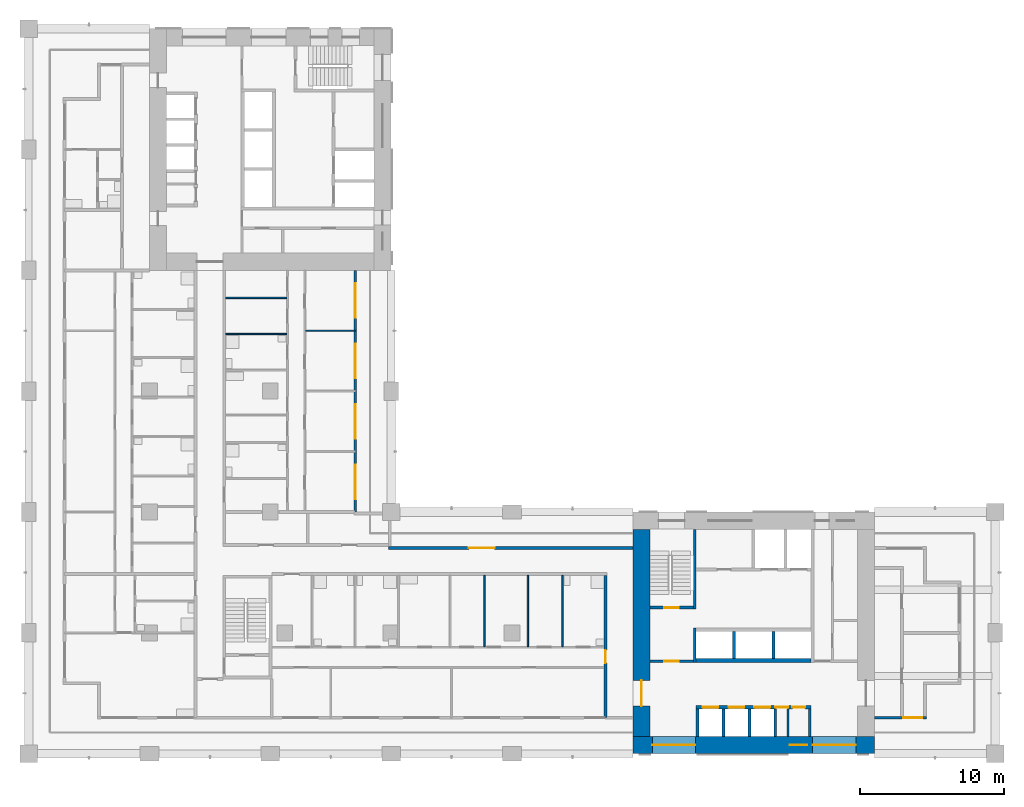
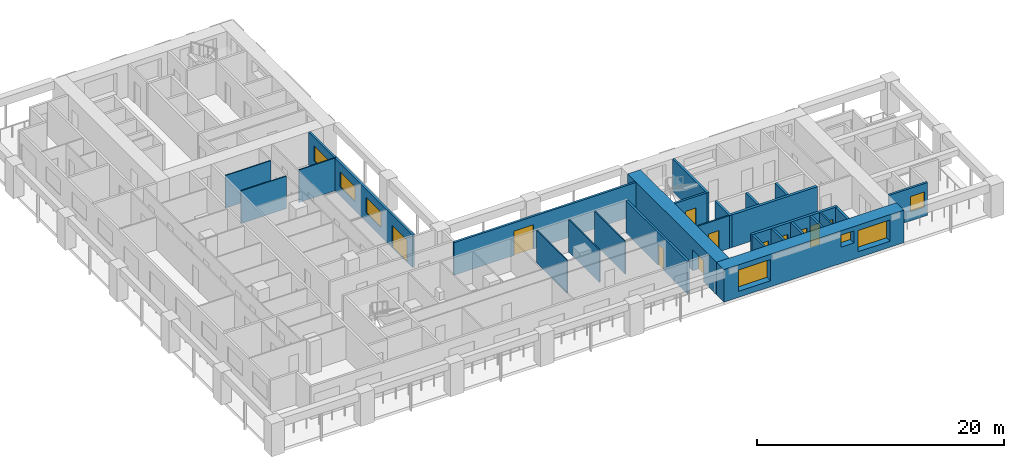
# One storey, part 5 of 16: 26 walls, 11 doors, 7 windows, 18 openings.
"""IFC4 building model written with IfcOpenShell, lengths in metres."""

import ifcopenshell
import ifcopenshell.guid

model = None  # the IFC model being written
_history = None  # IfcOwnerHistory: only IFC2X3 demands one
_inside = {}  # id of a spatial element -> (the spatial element, [elements in it])
_under = {}  # id of a project, library or spatial element -> (it, [spatial elements below it])
_declared = {}  # id of a project -> (the project, [libraries it declares])
_typed = {}  # id of a type object -> (the type object, [elements of that type])
_made_of = {}  # id of a material, layer set ... -> (it, [elements and type objects made of it])


def new_model(schema):
    """Start an empty IFC model of exactly this schema.

    Asked for "IFC4X3", IfcOpenShell would pick the latest addendum, in which some entities
    have other attributes; the version numbers below select the first issue.
    IFC2X3 requires an IfcOwnerHistory on every rooted entity: one is made here for all.
    """
    global model, _history
    if schema == "IFC4X3":
        model = ifcopenshell.file(schema_version=(4, 3, 0, 0))
    else:
        model = ifcopenshell.file(schema=schema)
    _inside.clear()
    _under.clear()
    _declared.clear()
    _typed.clear()
    _made_of.clear()
    _history = None
    if model.schema == "IFC2X3":
        org = make("IfcOrganization", Name="unknown")
        user = make(
            "IfcPersonAndOrganization",
            ThePerson=make("IfcPerson", FamilyName="unknown"),
            TheOrganization=org,
        )
        app = make(
            "IfcApplication",
            ApplicationDeveloper=org,
            Version="unknown",
            ApplicationFullName="unknown",
            ApplicationIdentifier="unknown",
        )
        _history = make(
            "IfcOwnerHistory",
            OwningUser=user,
            OwningApplication=app,
            ChangeAction="ADDED",
            CreationDate=0,
        )
    return model


def make(cls, **values):
    """One entity of the class cls with the attributes given. An attribute that is None is left unset."""
    return model.create_entity(
        cls, **{name: value for name, value in values.items() if value is not None}
    )


def rooted(cls, **values):
    """An entity with a GlobalId (a new one), such as an element, a storey or a relation."""
    return make(cls, GlobalId=ifcopenshell.guid.new(), OwnerHistory=_history, **values)


def si_unit(unit_type, name, prefix=None):
    """IfcSIUnit, for example si_unit("LENGTHUNIT", "METRE", prefix="MILLI")."""
    return make("IfcSIUnit", UnitType=unit_type, Prefix=prefix, Name=name)


def assignment(units):
    """IfcUnitAssignment: the units of a project."""
    return None if units is None else make("IfcUnitAssignment", Units=units)


def point(xyz):
    """IfcCartesianPoint."""
    return None if xyz is None else make("IfcCartesianPoint", Coordinates=xyz)


def direction(xyz):
    """IfcDirection."""
    return None if xyz is None else make("IfcDirection", DirectionRatios=xyz)


def frame(location, z_axis=None, x_axis=None):
    """IfcAxis2Placement3D, a coordinate frame: its origin and axes. An axis left out is left unset."""
    return make(
        "IfcAxis2Placement3D",
        Location=point(location),
        Axis=direction(z_axis),
        RefDirection=direction(x_axis),
    )


def frame_2d(location, x_axis=None):
    """IfcAxis2Placement2D, a coordinate frame in the plane: its origin and x axis."""
    return make(
        "IfcAxis2Placement2D", Location=point(location), RefDirection=direction(x_axis)
    )


def origin():
    """The frame at (0, 0, 0) with its axes left unset."""
    return frame((0.0, 0.0, 0.0))


def place(relative_to, where):
    """IfcLocalPlacement: puts the frame where relative to a parent placement (None: the world)."""
    return make(
        "IfcLocalPlacement", PlacementRelTo=relative_to, RelativePlacement=where
    )


def context(
    kind, dimensions, precision=None, world=None, true_north=None, identifier=None
):
    """IfcGeometricRepresentationContext, for example the 3D "Model" context."""
    return make(
        "IfcGeometricRepresentationContext",
        ContextIdentifier=identifier,
        ContextType=kind,
        CoordinateSpaceDimension=dimensions,
        Precision=precision,
        WorldCoordinateSystem=world,
        TrueNorth=true_north,
    )


def subcontext(parent, identifier, kind, view, scale=None):
    """IfcGeometricRepresentationSubContext, for example "Body" below "Model"."""
    return make(
        "IfcGeometricRepresentationSubContext",
        ContextIdentifier=identifier,
        ContextType=kind,
        ParentContext=parent,
        TargetScale=scale,
        TargetView=view,
    )


def project(units=None, contexts=None):
    """IfcProject with its units and contexts."""
    return rooted(
        "IfcProject",
        Name="project",
        RepresentationContexts=contexts,
        UnitsInContext=assignment(units),
    )


def spatial(cls, under=None, at=None, **own):
    """A site, building, storey or space (cls), placed at a placement, below another one or the project."""
    s = rooted(cls, ObjectPlacement=at, **own)
    if under is not None:
        _under.setdefault(under.id(), (under, []))[1].append(s)
    return s


def profile(cls, at=None, kind="AREA", **sizes):
    """A parametric profile (cls). Its sizes go by their IFC names, for example OverallWidth=200.0."""
    return make(cls, ProfileType=kind, Position=at, **sizes)


def rectangle(**sizes):
    """IfcRectangleProfileDef."""
    return profile("IfcRectangleProfileDef", **sizes)


def extrude(swept, where, along, depth):
    """IfcExtrudedAreaSolid: the profile swept, set in the frame where, extruded along a direction by depth."""
    return make(
        "IfcExtrudedAreaSolid",
        SweptArea=swept,
        Position=where,
        ExtrudedDirection=direction(along),
        Depth=depth,
    )


def shape(context_of_items, identifier, shape_type, items):
    """IfcShapeRepresentation: the items that make up one representation, for example the "Body"."""
    return make(
        "IfcShapeRepresentation",
        ContextOfItems=context_of_items,
        RepresentationIdentifier=identifier,
        RepresentationType=shape_type,
        Items=items,
    )


def material(Name=None, Category=None):
    """IfcMaterial."""
    return make("IfcMaterial", Name=Name, Category=Category)


def layer(
    of_material, thickness, ventilated=None, Name=None, Category=None, Priority=None
):
    """IfcMaterialLayer: one layer of a wall or slab, of a material (None: an air gap)."""
    return make(
        "IfcMaterialLayer",
        Material=of_material,
        LayerThickness=thickness,
        IsVentilated=ventilated,
        Name=Name,
        Category=Category,
        Priority=Priority,
    )


def layer_set(layers, Name=None):
    """IfcMaterialLayerSet."""
    return make("IfcMaterialLayerSet", MaterialLayers=layers, LayerSetName=Name)


def made_of(thing, what):
    """Note that an element or type object is made of a material, layer set ...; save() writes the relation."""
    if what is not None:
        _made_of.setdefault(what.id(), (what, []))[1].append(thing)
    return thing


def type_object(cls, material=None, **own):
    """A type object (cls), such as IfcWallType, which elements share."""
    return made_of(rooted(cls, **own), material)


def element(
    cls,
    number,
    at=None,
    inside=None,
    cuts=None,
    type_object=None,
    material=None,
    context=None,
    identifier="Body",
    shape_type=None,
    held_by="IfcProductDefinitionShape",
    body=None,
    shapes=None,
    **own,
):
    """One element of the class cls, such as IfcWall. Its Tag is "e" and its number.

    at: its placement. inside: the storey or other place that contains it. cuts: it is an
    opening in that element (IfcRelVoidsElement). A single representation is given by context,
    identifier, shape_type and body (its items); several are given by shapes. held_by: the class
    of the entity that holds the representations. save() writes the other relations.
    """
    e = rooted(cls, Tag="e%d" % number, ObjectPlacement=at, **own)
    if body is not None:
        shapes = [shape(context, identifier, shape_type, body)]
    if shapes is not None:
        e.Representation = make(held_by, Representations=shapes)
    if inside is not None:
        _inside.setdefault(inside.id(), (inside, []))[1].append(e)
    if cuts is not None:
        rooted(
            "IfcRelVoidsElement", RelatingBuildingElement=cuts, RelatedOpeningElement=e
        )
    if type_object is not None:
        _typed.setdefault(type_object.id(), (type_object, []))[1].append(e)
    return made_of(e, material)


def fill(opening, filler):
    """IfcRelFillsElement: the door or window that sits in an opening."""
    return rooted(
        "IfcRelFillsElement",
        RelatingOpeningElement=opening,
        RelatedBuildingElement=filler,
    )


def aggregate(whole, parts):
    """IfcRelAggregates: a whole, such as a stair, and the parts it consists of."""
    return rooted("IfcRelAggregates", RelatingObject=whole, RelatedObjects=parts)


def save(model, path):
    """Write the relations noted so far, then the file.

    IfcRelAggregates (storeys below a building ...), IfcRelContainedInSpatialStructure (elements
    in a storey), IfcRelDefinesByType, IfcRelAssociatesMaterial and IfcRelDeclares: one each for
    every whole, place, type object, material and project.
    """
    for whole, parts in _under.values():
        aggregate(whole, parts)
    for where, things in _inside.values():
        rooted(
            "IfcRelContainedInSpatialStructure",
            RelatedElements=things,
            RelatingStructure=where,
        )
    for kind, things in _typed.values():
        rooted("IfcRelDefinesByType", RelatedObjects=things, RelatingType=kind)
    for what, things in _made_of.values():
        rooted("IfcRelAssociatesMaterial", RelatedObjects=things, RelatingMaterial=what)
    for by, libraries in _declared.values():
        rooted("IfcRelDeclares", RelatingContext=by, RelatedDefinitions=libraries)
    model.write(path)


model = new_model("IFC4")

# Units and contexts
model_context = context("Model", 3, precision=1e-05, world=origin(), true_north=direction((0.0, 1.0)))
body_context = subcontext(model_context, "Body", "Model", "MODEL_VIEW")
ifc_project = project(units=[si_unit("LENGTHUNIT", "METRE"), si_unit("AREAUNIT", "SQUARE_METRE"), si_unit("VOLUMEUNIT", "CUBIC_METRE"), si_unit("PLANEANGLEUNIT", "RADIAN"), si_unit("MASSUNIT", "GRAM", prefix="KILO")], contexts=[model_context])

# Site, building, storey
site_placement = place(None, origin())
site = spatial("IfcSite", under=ifc_project, at=site_placement, CompositionType="ELEMENT")
building_placement = place(site_placement, origin())
building = spatial("IfcBuilding", under=site, at=building_placement, Name="Vermilion Gate Residences", CompositionType="ELEMENT")
storey_placement = place(building_placement, frame((0.0, 0.0, 126.699951171875)))
storey = spatial("IfcBuildingStorey", under=building, at=storey_placement, Name="L32", CompositionType="ELEMENT", Elevation=126.699951171875)

# Wall
ifc_material_1 = material(Name="Masonry blockwork", Category="masonry")
ifc_layer_1 = layer(ifc_material_1, 0.14990234375)
ifc_layer_set_1 = layer_set([ifc_layer_1], Name="BLOCKWORK PARTITION 150 EI 120")
wall_type_1 = type_object("IfcWallType", Name="BLOCKWORK PARTITION 150 EI 120", PredefinedType="PARTITIONING", material=ifc_layer_set_1)
wall_1_placement = place(storey_placement, frame((52.79248046875, 9.60009765625, 0.0), z_axis=(0.0, 0.0, 1.0), x_axis=(0.0, 1.0, 0.0)))
element("IfcWall", 1, at=wall_1_placement, inside=storey, type_object=wall_type_1, Name="Core room partition A32-SR-P0", PredefinedType="PARTITIONING", context=body_context, shape_type="SweptSolid", body=[
    extrude(rectangle(XDim=1.89990234375, YDim=0.14990234375, at=frame_2d((0.949951171875, 0.0))), origin(), (0.0, 0.0, 1.0), 3.219970703125),
])

# Wall, opening, door
wall_2_placement = place(storey_placement, frame((43.199951171875, 14.824951171875, 0.0), z_axis=(0.0, 0.0, 1.0), x_axis=(1.0, 0.0, 0.0)))
wall_2 = element("IfcWall", 2, at=wall_2_placement, inside=storey, type_object=wall_type_1, Name="Core room partition A32-VW-S", PredefinedType="PARTITIONING", context=body_context, shape_type="SweptSolid", body=[
    extrude(rectangle(XDim=3.0, YDim=0.14990234375, at=frame_2d((1.5, 0.0))), origin(), (0.0, 0.0, 1.0), 3.219970703125),
])
opening_1_placement = place(wall_2_placement, frame((1.0, 0.0, 0.0)))
opening_1 = element("IfcOpeningElement", 3, at=opening_1_placement, cuts=wall_2, Name="Opening DK32011", PredefinedType="OPENING", context=body_context, shape_type="SweptSolid", body=[
    extrude(rectangle(XDim=1.0, YDim=2.10009765625, at=frame_2d((0.5, 1.050048828125))), frame((0.0, 0.0849609375, 0.0), z_axis=(0.0, -1.0, 0.0), x_axis=(1.0, 0.0, 0.0)), (0.0, 0.0, 1.0), 0.169921875),
])
ifc_material_2 = material(Name="Steel", Category="steel")
door_type_1 = type_object("IfcDoorType", Name="FIRE DOOR FD60 1000 X 2100", OperationType="SINGLE_SWING_LEFT", PredefinedType="DOOR", material=ifc_material_2)
door_1_placement = place(opening_1_placement, frame((1.0, 0.0, 0.0), z_axis=(0.0, 0.0, 1.0), x_axis=(-1.0, 0.0, 0.0)))
door_1 = element("IfcDoor", 4, at=door_1_placement, inside=storey, type_object=door_type_1, Name="Stair vestibule door A32", OperationType="SINGLE_SWING_RIGHT", OverallHeight=2.10009765625, OverallWidth=1.0, PredefinedType="DOOR", context=body_context, shape_type="SweptSolid", body=[
    extrude(rectangle(XDim=1.0, YDim=2.10009765625, at=frame_2d((0.5, 1.050048828125))), frame((0.0, 0.02490234375, 0.0), z_axis=(0.0, -1.0, 0.0), x_axis=(1.0, 0.0, 0.0)), (0.0, 0.0, 1.0), 0.050048828125),
])
fill(opening_1, door_1)

# Wall, opening, window
ifc_material_3 = material(Name="Insulated steel stud wall with terracotta rainscreen", Category="masonry")
ifc_layer_2 = layer(ifc_material_3, 0.199951171875)
ifc_layer_set_2 = layer_set([ifc_layer_2], Name="EXTERNAL WALL 200 TERRACOTTA RAINSCREEN")
wall_type_2 = type_object("IfcWallType", Name="EXTERNAL WALL 200 TERRACOTTA RAINSCREEN", PredefinedType="SOLIDWALL", material=ifc_layer_set_2)
wall_3_placement = place(storey_placement, frame((58.800048828125, 10.89990234375, 0.0), z_axis=(0.0, 0.0, 1.0), x_axis=(1.0, 0.0, 0.0)))
wall_3 = element("IfcWall", 5, at=wall_3_placement, inside=storey, type_object=wall_type_2, Name="External wall", PredefinedType="SOLIDWALL", context=body_context, shape_type="SweptSolid", body=[
    extrude(rectangle(XDim=3.599853515625, YDim=0.199951171875, at=frame_2d((1.7998046875, 0.0))), origin(), (0.0, 0.0, 1.0), 3.219970703125),
])
opening_2_placement = place(wall_3_placement, frame((2.0, 0.0, 0.89990234375)))
opening_2 = element("IfcOpeningElement", 6, at=opening_2_placement, cuts=wall_3, Name="Opening WE32020", PredefinedType="OPENING", context=body_context, shape_type="SweptSolid", body=[
    extrude(rectangle(XDim=1.300048828125, YDim=1.5, at=frame_2d((0.64990234375, 0.75))), frame((0.0, 0.10986328125, 0.0), z_axis=(0.0, -1.0, 0.0), x_axis=(1.0, 0.0, 0.0)), (0.0, 0.0, 1.0), 0.219970703125),
])
ifc_material_4 = material(Name="Aluminium and clear glass", Category="aluminium")
window_type_1 = type_object("IfcWindowType", Name="WINDOW 1300 X 1500", PartitioningType="SINGLE_PANEL", PredefinedType="WINDOW", material=ifc_material_4)
window_1_placement = place(opening_2_placement, origin())
window_1 = element("IfcWindow", 7, at=window_1_placement, inside=storey, type_object=window_type_1, Name="Window", OverallHeight=1.5, OverallWidth=1.300048828125, PartitioningType="SINGLE_PANEL", PredefinedType="WINDOW", context=body_context, shape_type="SweptSolid", body=[
    extrude(rectangle(XDim=1.300048828125, YDim=1.5, at=frame_2d((0.64990234375, 0.75))), frame((0.0, 0.030029296875, 0.0), z_axis=(0.0, -1.0, 0.0), x_axis=(1.0, 0.0, 0.0)), (0.0, 0.0, 1.0), 0.06005859375),
])
fill(opening_2, window_1)

# Wall, opening, door
wall_4_placement = place(storey_placement, frame((42.0, 22.699951171875, 0.0), z_axis=(0.0, 0.0, 1.0), x_axis=(-1.0, 0.0, 0.0)))
wall_4 = element("IfcWall", 8, at=wall_4_placement, inside=storey, type_object=wall_type_2, Name="External wall", PredefinedType="SOLIDWALL", context=body_context, shape_type="SweptSolid", body=[
    extrude(rectangle(XDim=17.0, YDim=0.199951171875, at=frame_2d((8.5, 0.0))), origin(), (0.0, 0.0, 1.0), 3.219970703125),
])
opening_3_placement = place(wall_4_placement, frame((9.60009765625, 0.0, 0.0)))
opening_3 = element("IfcOpeningElement", 9, at=opening_3_placement, cuts=wall_4, Name="Opening DE32029", PredefinedType="OPENING", context=body_context, shape_type="SweptSolid", body=[
    extrude(rectangle(XDim=1.800048828125, YDim=2.39990234375, at=frame_2d((0.89990234375, 1.199951171875))), frame((0.0, 0.10986328125, 0.0), z_axis=(0.0, -1.0, 0.0), x_axis=(1.0, 0.0, 0.0)), (0.0, 0.0, 1.0), 0.219970703125),
])
ifc_material_5 = material(Name="Aluminium and clear glass", Category="aluminium")
door_type_2 = type_object("IfcDoorType", Name="GLAZED EXTERNAL DOOR 1800 X 2400", OperationType="DOUBLE_DOOR_SINGLE_SWING", PredefinedType="DOOR", material=ifc_material_5)
door_2_placement = place(opening_3_placement, frame((1.800048828125, 0.0, 0.0), z_axis=(0.0, 0.0, 1.0), x_axis=(-1.0, 0.0, 0.0)))
door_2 = element("IfcDoor", 10, at=door_2_placement, inside=storey, type_object=door_type_2, Name="Gallery door", OperationType="DOUBLE_DOOR_SINGLE_SWING", OverallHeight=2.39990234375, OverallWidth=1.800048828125, PredefinedType="DOOR", context=body_context, shape_type="SweptSolid", body=[
    extrude(rectangle(XDim=1.800048828125, YDim=2.39990234375, at=frame_2d((0.89990234375, 1.199951171875))), frame((0.0, 0.02490234375, 0.0), z_axis=(0.0, -1.0, 0.0), x_axis=(1.0, 0.0, 0.0)), (0.0, 0.0, 1.0), 0.050048828125),
])
fill(opening_3, door_2)

# Wall, openings, door, windows
wall_5_placement = place(storey_placement, frame((22.699951171875, 25.199951171875, 0.0), z_axis=(0.0, 0.0, 1.0), x_axis=(0.0, 1.0, 0.0)))
wall_5 = element("IfcWall", 11, at=wall_5_placement, inside=storey, type_object=wall_type_2, Name="External wall", PredefinedType="SOLIDWALL", context=body_context, shape_type="SweptSolid", body=[
    extrude(rectangle(XDim=16.800048828125, YDim=0.199951171875, at=frame_2d((8.39990234375, 0.0))), origin(), (0.0, 0.0, 1.0), 3.219970703125),
])
opening_4_placement = place(wall_5_placement, frame((0.89990234375, 0.0, 0.0)))
opening_4 = element("IfcOpeningElement", 12, at=opening_4_placement, cuts=wall_5, Name="Opening DE32024", PredefinedType="OPENING", context=body_context, shape_type="SweptSolid", body=[
    extrude(rectangle(XDim=2.39990234375, YDim=2.199951171875, at=frame_2d((1.199951171875, 1.10009765625))), frame((0.0, 0.10986328125, 0.0), z_axis=(0.0, -1.0, 0.0), x_axis=(1.0, 0.0, 0.0)), (0.0, 0.0, 1.0), 0.219970703125),
])
opening_5_placement = place(wall_5_placement, frame((5.10009765625, 0.0, 0.89990234375)))
opening_5 = element("IfcOpeningElement", 13, at=opening_5_placement, cuts=wall_5, Name="Opening WE32025", PredefinedType="OPENING", context=body_context, shape_type="SweptSolid", body=[
    extrude(rectangle(XDim=2.39990234375, YDim=1.5, at=frame_2d((1.199951171875, 0.75))), frame((0.0, 0.10986328125, 0.0), z_axis=(0.0, -1.0, 0.0), x_axis=(1.0, 0.0, 0.0)), (0.0, 0.0, 1.0), 0.219970703125),
])
opening_6_placement = place(wall_5_placement, frame((9.300048828125, 0.0, 0.89990234375)))
opening_6 = element("IfcOpeningElement", 14, at=opening_6_placement, cuts=wall_5, Name="Opening WE32026", PredefinedType="OPENING", context=body_context, shape_type="SweptSolid", body=[
    extrude(rectangle(XDim=2.39990234375, YDim=1.5, at=frame_2d((1.199951171875, 0.75))), frame((0.0, 0.10986328125, 0.0), z_axis=(0.0, -1.0, 0.0), x_axis=(1.0, 0.0, 0.0)), (0.0, 0.0, 1.0), 0.219970703125),
])
opening_7_placement = place(wall_5_placement, frame((13.5, 0.0, 0.89990234375)))
opening_7 = element("IfcOpeningElement", 15, at=opening_7_placement, cuts=wall_5, Name="Opening WE32027", PredefinedType="OPENING", context=body_context, shape_type="SweptSolid", body=[
    extrude(rectangle(XDim=2.39990234375, YDim=1.5, at=frame_2d((1.199951171875, 0.75))), frame((0.0, 0.10986328125, 0.0), z_axis=(0.0, -1.0, 0.0), x_axis=(1.0, 0.0, 0.0)), (0.0, 0.0, 1.0), 0.219970703125),
])
ifc_material_6 = material(Name="Aluminium and clear glass", Category="aluminium")
door_type_3 = type_object("IfcDoorType", Name="SLIDING GLAZED DOOR 2400 X 2200", OperationType="DOUBLE_DOOR_SLIDING", PredefinedType="DOOR", material=ifc_material_6)
door_3_placement = place(opening_4_placement, origin())
door_3 = element("IfcDoor", 16, at=door_3_placement, inside=storey, type_object=door_type_3, Name="Loggia sliding door", OperationType="DOUBLE_DOOR_SLIDING", OverallHeight=2.199951171875, OverallWidth=2.39990234375, PredefinedType="DOOR", context=body_context, shape_type="SweptSolid", body=[
    extrude(rectangle(XDim=2.39990234375, YDim=2.199951171875, at=frame_2d((1.199951171875, 1.10009765625))), frame((0.0, 0.02490234375, 0.0), z_axis=(0.0, -1.0, 0.0), x_axis=(1.0, 0.0, 0.0)), (0.0, 0.0, 1.0), 0.050048828125),
])
fill(opening_4, door_3)
ifc_material_7 = material(Name="Aluminium and clear glass", Category="aluminium")
window_type_2 = type_object("IfcWindowType", Name="WINDOW 2400 X 1500", PartitioningType="SINGLE_PANEL", PredefinedType="WINDOW", material=ifc_material_7)
window_2_placement = place(opening_5_placement, origin())
window_2 = element("IfcWindow", 17, at=window_2_placement, inside=storey, type_object=window_type_2, Name="Window", OverallHeight=1.5, OverallWidth=2.39990234375, PartitioningType="SINGLE_PANEL", PredefinedType="WINDOW", context=body_context, shape_type="SweptSolid", body=[
    extrude(rectangle(XDim=2.39990234375, YDim=1.5, at=frame_2d((1.199951171875, 0.75))), frame((0.0, 0.030029296875, 0.0), z_axis=(0.0, -1.0, 0.0), x_axis=(1.0, 0.0, 0.0)), (0.0, 0.0, 1.0), 0.06005859375),
])
fill(opening_5, window_2)
window_3_placement = place(opening_6_placement, origin())
window_3 = element("IfcWindow", 18, at=window_3_placement, inside=storey, type_object=window_type_2, Name="Window", OverallHeight=1.5, OverallWidth=2.39990234375, PartitioningType="SINGLE_PANEL", PredefinedType="WINDOW", context=body_context, shape_type="SweptSolid", body=[
    extrude(rectangle(XDim=2.39990234375, YDim=1.5, at=frame_2d((1.199951171875, 0.75))), frame((0.0, 0.030029296875, 0.0), z_axis=(0.0, -1.0, 0.0), x_axis=(1.0, 0.0, 0.0)), (0.0, 0.0, 1.0), 0.06005859375),
])
fill(opening_6, window_3)
window_4_placement = place(opening_7_placement, origin())
window_4 = element("IfcWindow", 19, at=window_4_placement, inside=storey, type_object=window_type_2, Name="Window", OverallHeight=1.5, OverallWidth=2.39990234375, PartitioningType="SINGLE_PANEL", PredefinedType="WINDOW", context=body_context, shape_type="SweptSolid", body=[
    extrude(rectangle(XDim=2.39990234375, YDim=1.5, at=frame_2d((1.199951171875, 0.75))), frame((0.0, 0.030029296875, 0.0), z_axis=(0.0, -1.0, 0.0), x_axis=(1.0, 0.0, 0.0)), (0.0, 0.0, 1.0), 0.06005859375),
])
fill(opening_7, window_4)

# Walls
ifc_material_8 = material(Name="Plasterboard on steel studs", Category="steel")
ifc_layer_3 = layer(ifc_material_8, 0.10009765625)
ifc_layer_set_3 = layer_set([ifc_layer_3], Name="PARTITION 100")
wall_type_3 = type_object("IfcWallType", Name="PARTITION 100", PredefinedType="PARTITIONING", material=ifc_layer_set_3)
wall_6_placement = place(storey_placement, frame((13.699951171875, 37.572021484375, 0.0), z_axis=(0.0, 0.0, 1.0), x_axis=(1.0, 0.0, 0.0)))
element("IfcWall", 20, at=wall_6_placement, inside=storey, type_object=wall_type_3, Name="Partition", PredefinedType="PARTITIONING", context=body_context, shape_type="SweptSolid", body=[
    extrude(rectangle(XDim=4.25, YDim=0.10009765625, at=frame_2d((2.125, 0.0))), origin(), (0.0, 0.0, 1.0), 3.219970703125),
])
wall_7_placement = place(storey_placement, frame((19.25, 37.800048828125, 0.0), z_axis=(0.0, 0.0, 1.0), x_axis=(1.0, 0.0, 0.0)))
element("IfcWall", 21, at=wall_7_placement, inside=storey, type_object=wall_type_3, Name="Partition", PredefinedType="PARTITIONING", context=body_context, shape_type="SweptSolid", body=[
    extrude(rectangle(XDim=3.449951171875, YDim=0.10009765625, at=frame_2d((1.72509765625, 0.0))), origin(), (0.0, 0.0, 1.0), 3.219970703125),
])
wall_8_placement = place(storey_placement, frame((13.699951171875, 40.0859375, 0.0), z_axis=(0.0, 0.0, 1.0), x_axis=(1.0, 0.0, 0.0)))
element("IfcWall", 22, at=wall_8_placement, inside=storey, type_object=wall_type_3, Name="Partition", PredefinedType="PARTITIONING", context=body_context, shape_type="SweptSolid", body=[
    extrude(rectangle(XDim=4.25, YDim=0.10009765625, at=frame_2d((2.125, 0.0))), origin(), (0.0, 0.0, 1.0), 3.219970703125),
])
for number, where, z_axis, x_axis, name in (
    (23, (31.699951171875, 15.85009765625, 0.0), (0.0, 0.0, 1.0), (0.0, 1.0, 0.0), "Partition"),
    (24, (34.699951171875, 15.85009765625, 0.0), (0.0, 0.0, 1.0), (0.0, 1.0, 0.0), "Partition"),
    (25, (37.10009765625, 15.85009765625, 0.0), (0.0, 0.0, 1.0), (0.0, 1.0, 0.0), "Partition"),
):
    element("IfcWall", number, at=place(storey_placement, frame(where, z_axis=z_axis, x_axis=x_axis)), inside=storey, type_object=wall_type_3, Name=name, PredefinedType="PARTITIONING", context=body_context, shape_type="SweptSolid", body=[
        extrude(rectangle(XDim=4.949951171875, YDim=0.10009765625, at=frame_2d((2.47509765625, 0.0))), origin(), (0.0, 0.0, 1.0), 3.219970703125),
    ])

# Wall, opening, door
ifc_material_9 = material(Name="Fire-rated plasterboard on steel studs", Category="steel")
ifc_layer_4 = layer(ifc_material_9, 0.199951171875)
ifc_layer_set_4 = layer_set([ifc_layer_4], Name="PARTY WALL 200 EI 120")
wall_type_4 = type_object("IfcWallType", Name="PARTY WALL 200 EI 120", PredefinedType="PARTITIONING", material=ifc_layer_set_4)
wall_9_placement = place(storey_placement, frame((40.10009765625, 10.89990234375, 0.0), z_axis=(0.0, 0.0, 1.0), x_axis=(0.0, 1.0, 0.0)))
wall_9 = element("IfcWall", 26, at=wall_9_placement, inside=storey, type_object=wall_type_4, Name="Party and corridor wall", PredefinedType="PARTITIONING", context=body_context, shape_type="SweptSolid", body=[
    extrude(rectangle(XDim=9.900146484375, YDim=0.199951171875, at=frame_2d((4.9501953125, 0.0))), origin(), (0.0, 0.0, 1.0), 3.219970703125),
])
opening_8_placement = place(wall_9_placement, frame((3.800048828125, 0.0, 0.0)))
opening_8 = element("IfcOpeningElement", 27, at=opening_8_placement, cuts=wall_9, Name="Opening DA32050", PredefinedType="OPENING", context=body_context, shape_type="SweptSolid", body=[
    extrude(rectangle(XDim=0.89990234375, YDim=2.10009765625, at=frame_2d((0.449951171875, 1.050048828125))), frame((0.0, 0.10986328125, 0.0), z_axis=(0.0, -1.0, 0.0), x_axis=(1.0, 0.0, 0.0)), (0.0, 0.0, 1.0), 0.219970703125),
])
ifc_material_10 = material(Name="Timber", Category="wood")
door_type_4 = type_object("IfcDoorType", Name="INTERIOR DOOR 900 X 2100", OperationType="SINGLE_SWING_LEFT", PredefinedType="DOOR", material=ifc_material_10)
door_4_placement = place(opening_8_placement, origin())
door_4 = element("IfcDoor", 28, at=door_4_placement, inside=storey, type_object=door_type_4, Name="Interior door", OperationType="SINGLE_SWING_RIGHT", OverallHeight=2.10009765625, OverallWidth=0.89990234375, PredefinedType="DOOR", context=body_context, shape_type="SweptSolid", body=[
    extrude(rectangle(XDim=0.89990234375, YDim=2.10009765625, at=frame_2d((0.449951171875, 1.050048828125))), frame((0.0, 0.02490234375, 0.0), z_axis=(0.0, -1.0, 0.0), x_axis=(1.0, 0.0, 0.0)), (0.0, 0.0, 1.0), 0.050048828125),
])
fill(opening_8, door_4)

# Walls
ifc_material_11 = material(Name="Concrete C60", Category="concrete")
ifc_layer_5 = layer(ifc_material_11, 0.199951171875)
ifc_layer_set_5 = layer_set([ifc_layer_5], Name="RC CORE INTERNAL WALL 200 C60")
wall_type_5 = type_object("IfcWallType", Name="RC CORE INTERNAL WALL 200 C60", PredefinedType="SHEAR", material=ifc_layer_set_5)
for number, where, z_axis, x_axis, name in (
    (29, (46.5, 9.60009765625, 0.0), (0.0, 0.0, 1.0), (0.0, 1.0, 0.0), "Core internal wall A32-LR-D0"),
    (30, (48.300048828125, 9.60009765625, 0.0), (0.0, 0.0, 1.0), (0.0, 1.0, 0.0), "Core internal wall A32-LR-D1"),
    (31, (50.10009765625, 9.60009765625, 0.0), (0.0, 0.0, 1.0), (0.0, 1.0, 0.0), "Core internal wall A32-LR-D2"),
    (32, (51.89990234375, 9.60009765625, 0.0), (0.0, 0.0, 1.0), (0.0, 1.0, 0.0), "Core internal wall A32-LR-D3"),
    (33, (54.300048828125, 9.60009765625, 0.0), (0.0, 0.0, 1.0), (0.0, 1.0, 0.0), "Core internal wall A32-LR-DE"),
    (34, (49.033447265625, 15.0, 0.0), (0.0, 0.0, 1.0), (0.0, 1.0, 0.0), "Core internal wall A32-HR-D1"),
    (35, (51.7666015625, 15.0, 0.0), (0.0, 0.0, 1.0), (0.0, 1.0, 0.0), "Core internal wall A32-HR-D2"),
):
    element("IfcWall", number, at=place(storey_placement, frame(where, z_axis=z_axis, x_axis=x_axis)), inside=storey, type_object=wall_type_5, Name=name, PredefinedType="SHEAR", context=body_context, shape_type="SweptSolid", body=[
        extrude(rectangle(XDim=1.89990234375, YDim=0.199951171875, at=frame_2d((0.949951171875, 0.0))), origin(), (0.0, 0.0, 1.0), 3.219970703125),
    ])
wall_10_placement = place(storey_placement, frame((46.300048828125, 14.75, 0.0), z_axis=(0.0, 0.0, 1.0), x_axis=(0.0, 1.0, 0.0)))
element("IfcWall", 36, at=wall_10_placement, inside=storey, type_object=wall_type_5, Name="Core internal wall A32-WDIV1", PredefinedType="SHEAR", context=body_context, shape_type="SweptSolid", body=[
    extrude(rectangle(XDim=2.39990234375, YDim=0.199951171875, at=frame_2d((1.199951171875, 0.0))), origin(), (0.0, 0.0, 1.0), 3.219970703125),
])
wall_11_placement = place(storey_placement, frame((46.300048828125, 18.449951171875, 0.0), z_axis=(0.0, 0.0, 1.0), x_axis=(0.0, 1.0, 0.0)))
element("IfcWall", 37, at=wall_11_placement, inside=storey, type_object=wall_type_5, Name="Core internal wall A32-WDIV2", PredefinedType="SHEAR", context=body_context, shape_type="SweptSolid", body=[
    extrude(rectangle(XDim=5.550048828125, YDim=0.199951171875, at=frame_2d((2.77490234375, 0.0))), origin(), (0.0, 0.0, 1.0), 3.219970703125),
])

# Wall, opening, door
wall_12_placement = place(storey_placement, frame((43.199951171875, 18.550048828125, 0.0), z_axis=(0.0, 0.0, 1.0), x_axis=(1.0, 0.0, 0.0)))
wall_12 = element("IfcWall", 38, at=wall_12_placement, inside=storey, type_object=wall_type_5, Name="Core internal wall A32-STW-S", PredefinedType="SHEAR", context=body_context, shape_type="SweptSolid", body=[
    extrude(rectangle(XDim=3.0, YDim=0.199951171875, at=frame_2d((1.5, 0.0))), origin(), (0.0, 0.0, 1.0), 3.219970703125),
])
opening_9_placement = place(wall_12_placement, frame((1.0, 0.0, 0.0)))
opening_9 = element("IfcOpeningElement", 39, at=opening_9_placement, cuts=wall_12, Name="Opening DK32012", PredefinedType="OPENING", context=body_context, shape_type="SweptSolid", body=[
    extrude(rectangle(XDim=1.0, YDim=2.10009765625, at=frame_2d((0.5, 1.050048828125))), frame((0.0, 0.10986328125, 0.0), z_axis=(0.0, -1.0, 0.0), x_axis=(1.0, 0.0, 0.0)), (0.0, 0.0, 1.0), 0.219970703125),
])
door_5_placement = place(opening_9_placement, origin())
door_5 = element("IfcDoor", 40, at=door_5_placement, inside=storey, type_object=door_type_1, Name="Stair door A32", OperationType="SINGLE_SWING_LEFT", OverallHeight=2.10009765625, OverallWidth=1.0, PredefinedType="DOOR", context=body_context, shape_type="SweptSolid", body=[
    extrude(rectangle(XDim=1.0, YDim=2.10009765625, at=frame_2d((0.5, 1.050048828125))), frame((0.0, 0.02490234375, 0.0), z_axis=(0.0, -1.0, 0.0), x_axis=(1.0, 0.0, 0.0)), (0.0, 0.0, 1.0), 0.050048828125),
])
fill(opening_9, door_5)

ifc_material_12 = material(Name="Concrete C70", Category="concrete")
ifc_layer_6 = layer(ifc_material_12, 1.199951171875)
ifc_layer_set_6 = layer_set([ifc_layer_6], Name="RC CORE WALL 1200 C70")
wall_type_6 = type_object("IfcWallType", Name="RC CORE WALL 1200 C70", PredefinedType="SHEAR", material=ifc_layer_set_6)
wall_13_placement = place(storey_placement, frame((42.60009765625, 9.60009765625, 0.0), z_axis=(0.0, 0.0, 1.0), x_axis=(0.0, 1.0, 0.0)))
wall_13 = element("IfcWall", 41, at=wall_13_placement, inside=storey, type_object=wall_type_6, Name="Core wall A32-OUT-FR", PredefinedType="SHEAR", context=body_context, shape_type="SweptSolid", body=[
    extrude(rectangle(XDim=14.39990234375, YDim=1.199951171875, at=frame_2d((7.199951171875, 0.0))), origin(), (0.0, 0.0, 1.0), 3.219970703125),
])
opening_10_placement = place(wall_13_placement, frame((2.10009765625, 0.0, 0.0)))
opening_10 = element("IfcOpeningElement", 42, at=opening_10_placement, cuts=wall_13, Name="Opening DK32001", PredefinedType="OPENING", context=body_context, shape_type="SweptSolid", body=[
    extrude(rectangle(XDim=1.800048828125, YDim=2.10009765625, at=frame_2d((0.89990234375, 1.050048828125))), frame((0.0, 0.60986328125, 0.0), z_axis=(0.0, -1.0, 0.0), x_axis=(1.0, 0.0, 0.0)), (0.0, 0.0, 1.0), 1.219970703125),
])
ifc_material_13 = material(Name="Steel", Category="steel")
door_type_5 = type_object("IfcDoorType", Name="CORE LOBBY DOOR FD60 1800 X 2100", OperationType="DOUBLE_DOOR_SINGLE_SWING", PredefinedType="DOOR", material=ifc_material_13)
door_6_placement = place(opening_10_placement, frame((1.800048828125, 0.0, 0.0), z_axis=(0.0, 0.0, 1.0), x_axis=(-1.0, 0.0, 0.0)))
door_6 = element("IfcDoor", 43, at=door_6_placement, inside=storey, type_object=door_type_5, Name="Core lobby door A32", OperationType="DOUBLE_DOOR_SINGLE_SWING", OverallHeight=2.10009765625, OverallWidth=1.800048828125, PredefinedType="DOOR", context=body_context, shape_type="SweptSolid", body=[
    extrude(rectangle(XDim=1.800048828125, YDim=2.10009765625, at=frame_2d((0.89990234375, 1.050048828125))), frame((0.0, 0.02490234375, 0.0), z_axis=(0.0, -1.0, 0.0), x_axis=(1.0, 0.0, 0.0)), (0.0, 0.0, 1.0), 0.050048828125),
])
fill(opening_10, door_6)

# Wall, openings, windows
ifc_material_14 = material(Name="Concrete C70 red-oxide pigmented", Category="concrete")
ifc_layer_7 = layer(ifc_material_14, 1.199951171875)
ifc_layer_set_7 = layer_set([ifc_layer_7], Name="RC CORE WALL 1200 C70 RED OXIDE")
wall_type_7 = type_object("IfcWallType", Name="RC CORE WALL 1200 C70 RED OXIDE", PredefinedType="SHEAR", material=ifc_layer_set_7)
wall_14_placement = place(storey_placement, frame((42.0, 9.0, 0.0), z_axis=(0.0, 0.0, 1.0), x_axis=(1.0, 0.0, 0.0)))
wall_14 = element("IfcWall", 44, at=wall_14_placement, inside=storey, type_object=wall_type_7, Name="Core wall A32-OUT-B0", PredefinedType="SHEAR", context=body_context, shape_type="SweptSolid", body=[
    extrude(rectangle(XDim=16.800048828125, YDim=1.199951171875, at=frame_2d((8.39990234375, 0.0))), origin(), (0.0, 0.0, 1.0), 3.219970703125),
])
opening_11_placement = place(wall_14_placement, frame((1.35009765625, 0.0, 0.60009765625)))
opening_11 = element("IfcOpeningElement", 45, at=opening_11_placement, cuts=wall_14, Name="Opening WKA3201", PredefinedType="OPENING", context=body_context, shape_type="SweptSolid", body=[
    extrude(rectangle(XDim=3.0, YDim=2.10009765625, at=frame_2d((1.5, 1.050048828125))), frame((0.0, 0.60986328125, 0.0), z_axis=(0.0, -1.0, 0.0), x_axis=(1.0, 0.0, 0.0)), (0.0, 0.0, 1.0), 1.219970703125),
])
opening_12_placement = place(wall_14_placement, frame((10.91748046875, 0.0, 1.60009765625)))
opening_12 = element("IfcOpeningElement", 46, at=opening_12_placement, cuts=wall_14, Name="Opening WKA3202", PredefinedType="OPENING", context=body_context, shape_type="SweptSolid", body=[
    extrude(rectangle(XDim=1.199951171875, YDim=1.199951171875, at=frame_2d((0.60009765625, 0.60009765625))), frame((0.0, 0.60986328125, 0.0), z_axis=(0.0, -1.0, 0.0), x_axis=(1.0, 0.0, 0.0)), (0.0, 0.0, 1.0), 1.219970703125),
])
opening_13_placement = place(wall_14_placement, frame((12.5, 0.0, 0.60009765625)))
opening_13 = element("IfcOpeningElement", 47, at=opening_13_placement, cuts=wall_14, Name="Opening WKA3203", PredefinedType="OPENING", context=body_context, shape_type="SweptSolid", body=[
    extrude(rectangle(XDim=3.0, YDim=2.10009765625, at=frame_2d((1.5, 1.050048828125))), frame((0.0, 0.60986328125, 0.0), z_axis=(0.0, -1.0, 0.0), x_axis=(1.0, 0.0, 0.0)), (0.0, 0.0, 1.0), 1.219970703125),
])
ifc_material_15 = material(Name="Aluminium and clear glass", Category="aluminium")
window_type_3 = type_object("IfcWindowType", Name="CORE LOBBY WINDOW 3000 X 2100", PartitioningType="SINGLE_PANEL", PredefinedType="WINDOW", material=ifc_material_15)
window_5_placement = place(opening_11_placement, origin())
window_5 = element("IfcWindow", 48, at=window_5_placement, inside=storey, type_object=window_type_3, Name="Core lobby window", OverallHeight=2.10009765625, OverallWidth=3.0, PartitioningType="SINGLE_PANEL", PredefinedType="WINDOW", context=body_context, shape_type="SweptSolid", body=[
    extrude(rectangle(XDim=3.0, YDim=2.10009765625, at=frame_2d((1.5, 1.050048828125))), frame((0.0, 0.030029296875, 0.0), z_axis=(0.0, -1.0, 0.0), x_axis=(1.0, 0.0, 0.0)), (0.0, 0.0, 1.0), 0.06005859375),
])
fill(opening_11, window_5)
window_6_placement = place(opening_13_placement, origin())
window_6 = element("IfcWindow", 49, at=window_6_placement, inside=storey, type_object=window_type_3, Name="Core lobby window", OverallHeight=2.10009765625, OverallWidth=3.0, PartitioningType="SINGLE_PANEL", PredefinedType="WINDOW", context=body_context, shape_type="SweptSolid", body=[
    extrude(rectangle(XDim=3.0, YDim=2.10009765625, at=frame_2d((1.5, 1.050048828125))), frame((0.0, 0.030029296875, 0.0), z_axis=(0.0, -1.0, 0.0), x_axis=(1.0, 0.0, 0.0)), (0.0, 0.0, 1.0), 0.06005859375),
])
fill(opening_13, window_6)
ifc_material_16 = material(Name="Aluminium frame with louvre blades", Category="aluminium")
window_type_4 = type_object("IfcWindowType", Name="CORE LOUVRE 1200 X 1200", PartitioningType="SINGLE_PANEL", PredefinedType="WINDOW", material=ifc_material_16)
window_7_placement = place(opening_12_placement, origin())
window_7 = element("IfcWindow", 50, at=window_7_placement, inside=storey, type_object=window_type_4, Name="Core louvre", OverallHeight=1.199951171875, OverallWidth=1.199951171875, PartitioningType="SINGLE_PANEL", PredefinedType="WINDOW", context=body_context, shape_type="SweptSolid", body=[
    extrude(rectangle(XDim=1.199951171875, YDim=1.199951171875, at=frame_2d((0.60009765625, 0.60009765625))), frame((0.0, 0.030029296875, 0.0), z_axis=(0.0, -1.0, 0.0), x_axis=(1.0, 0.0, 0.0)), (0.0, 0.0, 1.0), 0.06005859375),
])
fill(opening_12, window_7)

# Wall, openings, doors
ifc_material_17 = material(Name="Concrete C60", Category="concrete")
ifc_layer_8 = layer(ifc_material_17, 0.25)
ifc_layer_set_8 = layer_set([ifc_layer_8], Name="RC LIFT SHAFT WALL 250 C60")
wall_type_8 = type_object("IfcWallType", Name="RC LIFT SHAFT WALL 250 C60", PredefinedType="SHEAR", material=ifc_layer_set_8)
wall_15_placement = place(storey_placement, frame((46.39990234375, 11.625, 0.0), z_axis=(0.0, 0.0, 1.0), x_axis=(1.0, 0.0, 0.0)))
wall_15 = element("IfcWall", 51, at=wall_15_placement, inside=storey, type_object=wall_type_8, Name="Lift shaft wall A32-LR-F", PredefinedType="SHEAR", context=body_context, shape_type="SweptSolid", body=[
    extrude(rectangle(XDim=8.0, YDim=0.25, at=frame_2d((4.0, 0.0))), origin(), (0.0, 0.0, 1.0), 3.219970703125),
])
opening_14_placement = place(wall_15_placement, frame((0.449951171875, 0.0, 0.0)))
opening_14 = element("IfcOpeningElement", 52, at=opening_14_placement, cuts=wall_15, Name="Opening LD", PredefinedType="OPENING", context=body_context, shape_type="SweptSolid", body=[
    extrude(rectangle(XDim=1.10009765625, YDim=2.10009765625, at=frame_2d((0.550048828125, 1.050048828125))), frame((0.0, 0.135009765625, 0.0), z_axis=(0.0, -1.0, 0.0), x_axis=(1.0, 0.0, 0.0)), (0.0, 0.0, 1.0), 0.27001953125),
])
opening_15_placement = place(wall_15_placement, frame((2.25, 0.0, 0.0)))
opening_15 = element("IfcOpeningElement", 53, at=opening_15_placement, cuts=wall_15, Name="Opening LD", PredefinedType="OPENING", context=body_context, shape_type="SweptSolid", body=[
    extrude(rectangle(XDim=1.10009765625, YDim=2.10009765625, at=frame_2d((0.550048828125, 1.050048828125))), frame((0.0, 0.135009765625, 0.0), z_axis=(0.0, -1.0, 0.0), x_axis=(1.0, 0.0, 0.0)), (0.0, 0.0, 1.0), 0.27001953125),
])
opening_16_placement = place(wall_15_placement, frame((4.050048828125, 0.0, 0.0)))
opening_16 = element("IfcOpeningElement", 54, at=opening_16_placement, cuts=wall_15, Name="Opening LD", PredefinedType="OPENING", context=body_context, shape_type="SweptSolid", body=[
    extrude(rectangle(XDim=1.10009765625, YDim=2.10009765625, at=frame_2d((0.550048828125, 1.050048828125))), frame((0.0, 0.135009765625, 0.0), z_axis=(0.0, -1.0, 0.0), x_axis=(1.0, 0.0, 0.0)), (0.0, 0.0, 1.0), 0.27001953125),
])
opening_17_placement = place(wall_15_placement, frame((5.5087890625, 0.0, 0.0)))
opening_17 = element("IfcOpeningElement", 55, at=opening_17_placement, cuts=wall_15, Name="Opening DK32006", PredefinedType="OPENING", context=body_context, shape_type="SweptSolid", body=[
    extrude(rectangle(XDim=0.89990234375, YDim=2.10009765625, at=frame_2d((0.449951171875, 1.050048828125))), frame((0.0, 0.135009765625, 0.0), z_axis=(0.0, -1.0, 0.0), x_axis=(1.0, 0.0, 0.0)), (0.0, 0.0, 1.0), 0.27001953125),
])
opening_18_placement = place(wall_15_placement, frame((6.683837890625, 0.0, 0.0)))
opening_18 = element("IfcOpeningElement", 56, at=opening_18_placement, cuts=wall_15, Name="Opening DK32007", PredefinedType="OPENING", context=body_context, shape_type="SweptSolid", body=[
    extrude(rectangle(XDim=0.89990234375, YDim=2.10009765625, at=frame_2d((0.449951171875, 1.050048828125))), frame((0.0, 0.135009765625, 0.0), z_axis=(0.0, -1.0, 0.0), x_axis=(1.0, 0.0, 0.0)), (0.0, 0.0, 1.0), 0.27001953125),
])
ifc_material_18 = material(Name="Stainless steel", Category="steel")
door_type_6 = type_object("IfcDoorType", Name="LIFT LANDING DOOR E60 1100 X 2100", OperationType="DOUBLE_DOOR_SLIDING", PredefinedType="DOOR", material=ifc_material_18)
door_7_placement = place(opening_14_placement, origin())
door_7 = element("IfcDoor", 57, at=door_7_placement, inside=storey, type_object=door_type_6, Name="Lift landing door LRA1", OperationType="DOUBLE_DOOR_SLIDING", OverallHeight=2.10009765625, OverallWidth=1.10009765625, PredefinedType="DOOR", context=body_context, shape_type="SweptSolid", body=[
    extrude(rectangle(XDim=1.10009765625, YDim=2.10009765625, at=frame_2d((0.550048828125, 1.050048828125))), frame((0.0, 0.02490234375, 0.0), z_axis=(0.0, -1.0, 0.0), x_axis=(1.0, 0.0, 0.0)), (0.0, 0.0, 1.0), 0.050048828125),
])
fill(opening_14, door_7)
door_8_placement = place(opening_15_placement, origin())
door_8 = element("IfcDoor", 58, at=door_8_placement, inside=storey, type_object=door_type_6, Name="Lift landing door LRA2", OperationType="DOUBLE_DOOR_SLIDING", OverallHeight=2.10009765625, OverallWidth=1.10009765625, PredefinedType="DOOR", context=body_context, shape_type="SweptSolid", body=[
    extrude(rectangle(XDim=1.10009765625, YDim=2.10009765625, at=frame_2d((0.550048828125, 1.050048828125))), frame((0.0, 0.02490234375, 0.0), z_axis=(0.0, -1.0, 0.0), x_axis=(1.0, 0.0, 0.0)), (0.0, 0.0, 1.0), 0.050048828125),
])
fill(opening_15, door_8)
door_9_placement = place(opening_16_placement, origin())
door_9 = element("IfcDoor", 59, at=door_9_placement, inside=storey, type_object=door_type_6, Name="Lift landing door LRA3", OperationType="DOUBLE_DOOR_SLIDING", OverallHeight=2.10009765625, OverallWidth=1.10009765625, PredefinedType="DOOR", context=body_context, shape_type="SweptSolid", body=[
    extrude(rectangle(XDim=1.10009765625, YDim=2.10009765625, at=frame_2d((0.550048828125, 1.050048828125))), frame((0.0, 0.02490234375, 0.0), z_axis=(0.0, -1.0, 0.0), x_axis=(1.0, 0.0, 0.0)), (0.0, 0.0, 1.0), 0.050048828125),
])
fill(opening_16, door_9)
ifc_material_19 = material(Name="Steel", Category="steel")
door_type_7 = type_object("IfcDoorType", Name="SERVICE ROOM DOOR FD60 900 X 2100", OperationType="SINGLE_SWING_LEFT", PredefinedType="DOOR", material=ifc_material_19)
door_10_placement = place(opening_17_placement, origin())
door_10 = element("IfcDoor", 60, at=door_10_placement, inside=storey, type_object=door_type_7, Name="Fire equipment store A32", OperationType="SINGLE_SWING_LEFT", OverallHeight=2.10009765625, OverallWidth=0.89990234375, PredefinedType="DOOR", context=body_context, shape_type="SweptSolid", body=[
    extrude(rectangle(XDim=0.89990234375, YDim=2.10009765625, at=frame_2d((0.449951171875, 1.050048828125))), frame((0.0, 0.02490234375, 0.0), z_axis=(0.0, -1.0, 0.0), x_axis=(1.0, 0.0, 0.0)), (0.0, 0.0, 1.0), 0.050048828125),
])
fill(opening_17, door_10)
door_11_placement = place(opening_18_placement, frame((0.89990234375, 0.0, 0.0), z_axis=(0.0, 0.0, 1.0), x_axis=(-1.0, 0.0, 0.0)))
door_11 = element("IfcDoor", 61, at=door_11_placement, inside=storey, type_object=door_type_7, Name="Mail room A32", OperationType="SINGLE_SWING_RIGHT", OverallHeight=2.10009765625, OverallWidth=0.89990234375, PredefinedType="DOOR", context=body_context, shape_type="SweptSolid", body=[
    extrude(rectangle(XDim=0.89990234375, YDim=2.10009765625, at=frame_2d((0.449951171875, 1.050048828125))), frame((0.0, 0.02490234375, 0.0), z_axis=(0.0, -1.0, 0.0), x_axis=(1.0, 0.0, 0.0)), (0.0, 0.0, 1.0), 0.050048828125),
])
fill(opening_18, door_11)

# Wall
wall_16_placement = place(storey_placement, frame((46.39990234375, 14.875, 0.0), z_axis=(0.0, 0.0, 1.0), x_axis=(1.0, 0.0, 0.0)))
element("IfcWall", 62, at=wall_16_placement, inside=storey, type_object=wall_type_8, Name="Lift shaft wall A32-HR-F", PredefinedType="SHEAR", context=body_context, shape_type="SweptSolid", body=[
    extrude(rectangle(XDim=8.0, YDim=0.25, at=frame_2d((4.0, 0.0))), origin(), (0.0, 0.0, 1.0), 3.219970703125),
])

save(model, "model.ifc")
